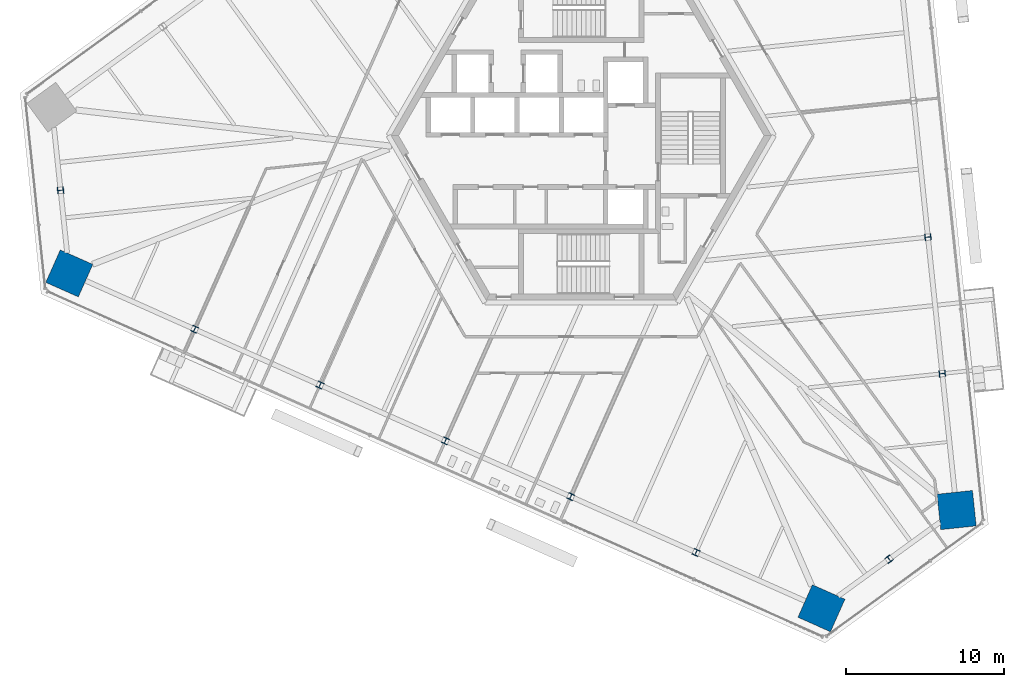
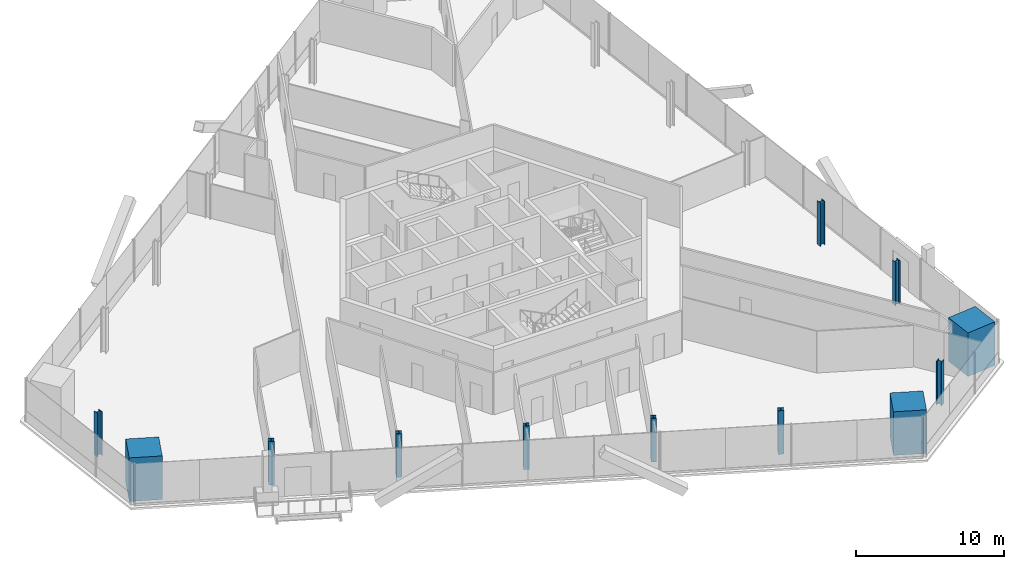
# One storey, part 1 of 19: 12 columns.
"""IFC4 building model written with IfcOpenShell, lengths in metres."""

from ifc_helpers import new_model, si_unit, direction, frame, origin, origin_2d, place, context, subcontext, project, spatial, rectangle, i_section, extrude, source, transform, mapped, material, material_profile, profile_set, type_object, element, save


model = new_model("IFC4")

# Units and contexts
model_context = context("Model", 3, precision=1e-05, world=origin(), true_north=direction((0.0, 1.0)))
body_context = subcontext(model_context, "Body", "Model", "MODEL_VIEW")
ifc_project = project(units=[si_unit("LENGTHUNIT", "METRE"), si_unit("AREAUNIT", "SQUARE_METRE"), si_unit("VOLUMEUNIT", "CUBIC_METRE"), si_unit("PLANEANGLEUNIT", "RADIAN"), si_unit("MASSUNIT", "GRAM", prefix="KILO")], contexts=[model_context])

# Site, building, storey
site_placement = place(None, origin())
site = spatial("IfcSite", under=ifc_project, at=site_placement, CompositionType="ELEMENT")
building_placement = place(site_placement, origin())
building = spatial("IfcBuilding", under=site, at=building_placement, Name="Triune Harvest Tower", CompositionType="ELEMENT")
storey_placement = place(building_placement, frame((0.0, 0.0, 69.300048828125)))
storey = spatial("IfcBuildingStorey", under=building, at=storey_placement, Name="L16", CompositionType="ELEMENT", Elevation=69.300048828125)

# Columns
ifc_material_1 = material(Name="Concrete 70 MPa", Category="concrete")
ifc_material_profile_1 = material_profile(ifc_material_1, rectangle(XDim=2.25, YDim=2.25, at=origin_2d()), Name="Composite 2250x2250")
ifc_profile_set_1 = profile_set([ifc_material_profile_1], Name="Concrete 70 MPa")
column_type_1 = type_object("IfcColumnType", Name="MC-2 Mega column Composite 2250x2250", PredefinedType="COLUMN", material=ifc_profile_set_1)
shared_shape_1 = source(origin(), body_context, "Body", "SweptSolid", [
    extrude(rectangle(XDim=2.25, YDim=2.25, at=origin_2d()), origin(), (0.0, 0.0, 1.0), 3.599853515625),
])
for number, where, z_axis, x_axis, name in (
    (1, (23.693359375, -23.6396484375, 0.0), (0.0, 0.0, 1.0), (-0.104526727499, 0.994522077803, 0.0), "col/L16/M0"),
    (2, (-32.319091796875, -8.69921875, 0.0), (0.0, 0.0, 1.0), (0.913545457643, -0.406736643076, 0.0), "col/L16/M16"),
    (3, (15.160888671875, -29.8388671875, 0.0), (0.0, 0.0, 1.0), (0.913545457643, -0.406736643076, 0.0), "col/L16/M22"),
):
    element("IfcColumn", number, at=place(storey_placement, frame(where, z_axis=z_axis, x_axis=x_axis)), inside=storey, type_object=column_type_1, Name=name, PredefinedType="COLUMN", context=body_context, shape_type="MappedRepresentation", body=[
        mapped(shared_shape_1, transform((0.0, 0.0, 0.0), scale=1.0)),
    ])
ifc_material_2 = material(Name="Steel ASTM A992 Gr 50", Category="steel")
ifc_material_profile_2 = material_profile(ifc_material_2, i_section(OverallWidth=0.398681640625, OverallDepth=0.393798828125, WebThickness=0.022705078125, FlangeThickness=0.03662109375, at=origin_2d()), Name="W14x193")
ifc_profile_set_2 = profile_set([ifc_material_profile_2], Name="Steel ASTM A992 Gr 50")
column_type_2 = type_object("IfcColumnType", Name="PC-2 Perimeter column W14x193", PredefinedType="COLUMN", material=ifc_profile_set_2)
shared_shape_2 = source(origin(), body_context, "Body", "SweptSolid", [
    extrude(i_section(OverallWidth=0.398681640625, OverallDepth=0.393798828125, WebThickness=0.022705078125, FlangeThickness=0.03662109375, at=origin_2d()), origin(), (0.0, 0.0, 1.0), 3.599853515625),
])
for number, where, z_axis, x_axis, name in (
    (4, (22.787841796875, -15.02490234375, 0.0), (0.0, 0.0, 1.0), (-0.104526727499, 0.994522077803, 0.0), "col/L16/P1"),
    (5, (21.88232421875, -6.409912109375, 0.0), (0.0, 0.0, 1.0), (-0.104526727499, 0.994522077803, 0.0), "col/L16/P2"),
    (6, (-32.870361328125, -3.454833984375, 0.0), (0.0, 0.0, 1.0), (0.104528463268, -0.994521895368, 0.0), "col/L16/P15"),
    (7, (-24.40576171875, -12.222412109375, 0.0), (0.0, 0.0, 1.0), (0.913545457643, -0.406736643076, 0.0), "col/L16/P17"),
    (8, (-16.492431640625, -15.745849609375, 0.0), (0.0, 0.0, 1.0), (0.913545457643, -0.406736643076, 0.0), "col/L16/P18"),
    (9, (-8.5791015625, -19.26904296875, 0.0), (0.0, 0.0, 1.0), (0.913545457643, -0.406736643076, 0.0), "col/L16/P19"),
    (10, (-0.665771484375, -22.792236328125, 0.0), (0.0, 0.0, 1.0), (0.913545457643, -0.406736643076, 0.0), "col/L16/P20"),
    (11, (7.24755859375, -26.3154296875, 0.0), (0.0, 0.0, 1.0), (0.913545457643, -0.406736643076, 0.0), "col/L16/P21"),
    (12, (19.427001953125, -26.7392578125, 0.0), (0.0, 0.0, 1.0), (0.809014942612, 0.587788076291, 0.0), "col/L16/P23"),
):
    element("IfcColumn", number, at=place(storey_placement, frame(where, z_axis=z_axis, x_axis=x_axis)), inside=storey, type_object=column_type_2, Name=name, PredefinedType="COLUMN", context=body_context, shape_type="MappedRepresentation", body=[
        mapped(shared_shape_2, transform((0.0, 0.0, 0.0), scale=1.0)),
    ])

save(model, "model.ifc")
